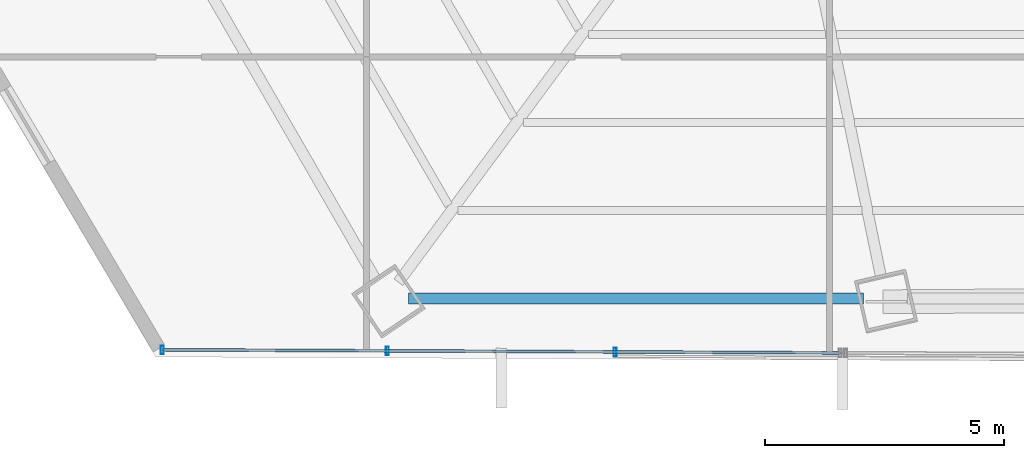
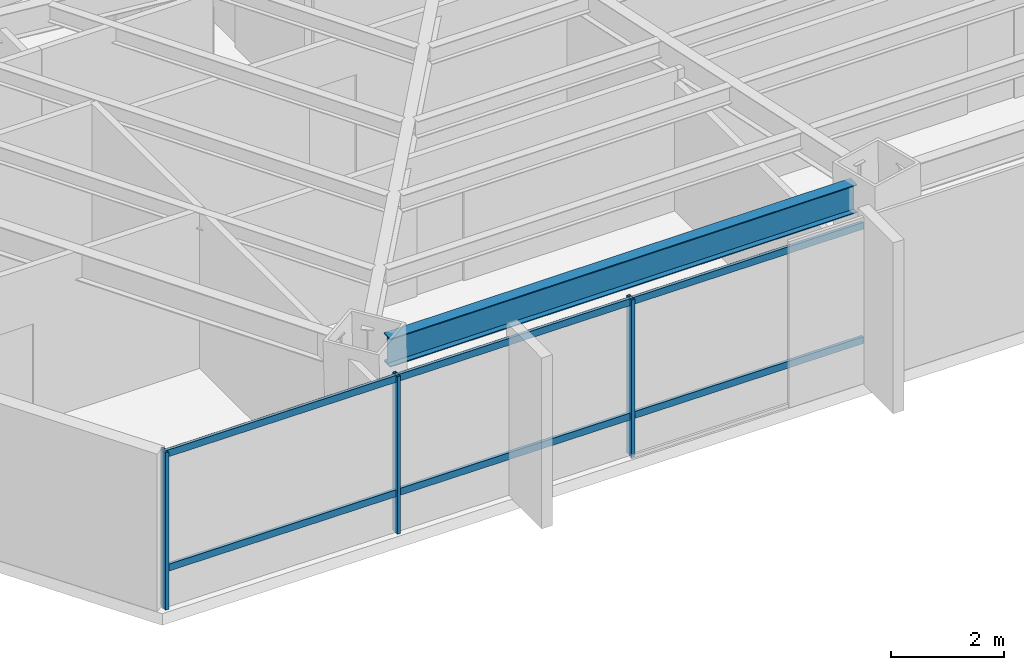
# One storey, part 4 of 37: 5 members, 1 beam, 1 element without a shape of its own.
"""IFC4 building model written with IfcOpenShell, lengths in metres."""

from ifc_helpers import new_model, si_unit, direction, frame, origin, origin_2d, place, context, subcontext, project, spatial, hollow_rectangle, i_section, extrude, source, transform, mapped, material, material_profile, profile_set, type_object, type_shapes, element, aggregate, save


model = new_model("IFC4")

# Units and contexts
model_context = context("Model", 3, precision=1e-05, world=origin(), true_north=direction((0.0, 1.0)))
body_context = subcontext(model_context, "Body", "Model", "MODEL_VIEW")
ifc_project = project(units=[si_unit("LENGTHUNIT", "METRE"), si_unit("AREAUNIT", "SQUARE_METRE"), si_unit("VOLUMEUNIT", "CUBIC_METRE"), si_unit("PLANEANGLEUNIT", "RADIAN"), si_unit("MASSUNIT", "GRAM", prefix="KILO")], contexts=[model_context])

# Site, building, storey
site_placement = place(None, origin())
site = spatial("IfcSite", under=ifc_project, at=site_placement, CompositionType="ELEMENT")
building_placement = place(site_placement, origin())
building = spatial("IfcBuilding", under=site, at=building_placement, Name="Caelisora Broadcast Tower", CompositionType="ELEMENT")
storey_placement = place(building_placement, frame((0.0, 0.0, 101.75)))
storey = spatial("IfcBuildingStorey", under=building, at=storey_placement, Name="L26", CompositionType="ELEMENT", Elevation=101.75)

# Beam
ifc_material_1 = material(Name="Steel Grade 350 (AS/NZS 3679.1)", Category="steel")
ifc_material_profile_1 = material_profile(ifc_material_1, i_section(OverallWidth=0.22900390625, OverallDepth=0.611572265625, WebThickness=0.011962890625, FlangeThickness=0.01953125, at=origin_2d()), Name="Steel Grade 350 (AS/NZS 3679.1)")
ifc_profile_set_1 = profile_set([ifc_material_profile_1], Name="Steel Grade 350 (AS/NZS 3679.1)")
beam_type = type_object("IfcBeamType", Name="PG03", PredefinedType="BEAM", material=ifc_profile_set_1)
shared_shape_1 = source(origin(), body_context, "Body", "SweptSolid", [
    extrude(i_section(OverallWidth=0.22900390625, OverallDepth=0.611572265625, WebThickness=0.011962890625, FlangeThickness=0.01953125, at=origin_2d()), origin(), (0.0, 0.0, 1.0), 9.533447265625),
])
type_shapes(beam_type, [shared_shape_1])
beam_placement = place(storey_placement, frame((22.77978515625, 6.341064453125, 3.09423828125), z_axis=(1.0, 0.0, 0.0), x_axis=(0.0, 1.0, 0.0)))
element("IfcBeam", 1, at=beam_placement, inside=storey, type_object=beam_type, Name="L26 beam PG03", PredefinedType="BEAM", context=body_context, shape_type="MappedRepresentation", body=[
    mapped(shared_shape_1, transform((0.0, 0.0, 0.0), scale=1.0)),
])

# Curtain wall, members
ifc_material_2 = material(Name="Unitised Aluminium and Low-E Glass Curtain Wall", Category="glass")
curtain_wall_type = type_object("IfcCurtainWallType", Name="CW-Z2", PredefinedType="NOTDEFINED", material=ifc_material_2)
curtain_wall_placement = place(storey_placement, origin())
curtain_wall = element("IfcCurtainWall", 2, at=curtain_wall_placement, inside=storey, type_object=curtain_wall_type, Name="L26 curtain wall CW-Z2", PredefinedType="NOTDEFINED")
ifc_material_3 = material(Name="Aluminium 6063-T6 Anodised Terracotta Bronze", Category="aluminium")
ifc_material_profile_2 = material_profile(ifc_material_3, hollow_rectangle(XDim=0.06494140625, YDim=0.179931640625, WallThickness=0.00341796875, at=origin_2d()), Name="Aluminium 6063-T6 Anodised Terracotta Bronze")
ifc_profile_set_2 = profile_set([ifc_material_profile_2], Name="Aluminium 6063-T6 Anodised Terracotta Bronze")
member_type_1 = type_object("IfcMemberType", Name="CWM-02", PredefinedType="MULLION", material=ifc_profile_set_2)
shared_shape_2 = source(origin(), body_context, "Body", "SweptSolid", [
    extrude(hollow_rectangle(XDim=0.06494140625, YDim=0.179931640625, WallThickness=0.00341796875, at=origin_2d()), origin(), (0.0, 0.0, 1.0), 3.39990234375),
])
type_shapes(member_type_1, [shared_shape_2])
member_1_placement = place(storey_placement, frame((27.10888671875, 5.21923828125, 0.0), z_axis=(0.0, 0.0, 1.0), x_axis=(1.0, 0.0, 0.0)))
member_1 = element("IfcMember", 3, at=member_1_placement, type_object=member_type_1, Name="L26-CW-B07 mullion #1", PredefinedType="MULLION", context=body_context, shape_type="MappedRepresentation", body=[
    mapped(shared_shape_2, transform((0.0, 0.0, 0.0), scale=1.0)),
])
member_2_placement = place(storey_placement, frame((22.337890625, 5.2412109375, 0.0), z_axis=(0.0, 0.0, 1.0), x_axis=(1.0, 0.0, 0.0)))
member_2 = element("IfcMember", 4, at=member_2_placement, type_object=member_type_1, Name="L26-CW-B07 mullion #2", PredefinedType="MULLION", context=body_context, shape_type="MappedRepresentation", body=[
    mapped(shared_shape_2, transform((0.0, 0.0, 0.0), scale=1.0)),
])
member_3_placement = place(storey_placement, frame((17.616943359375, 5.2626953125, 0.0), z_axis=(0.0, 0.0, 1.0), x_axis=(1.0, 0.0, 0.0)))
member_3 = element("IfcMember", 5, at=member_3_placement, type_object=member_type_1, Name="L26-CW-B07 mullion #3", PredefinedType="MULLION", context=body_context, shape_type="MappedRepresentation", body=[
    mapped(shared_shape_2, transform((0.0, 0.0, 0.0), scale=1.0)),
])
ifc_material_profile_3 = material_profile(ifc_material_3, hollow_rectangle(XDim=0.06005859375, YDim=0.14990234375, WallThickness=0.00341796875, at=origin_2d()), Name="Aluminium 6063-T6 Anodised Terracotta Bronze")
ifc_profile_set_3 = profile_set([ifc_material_profile_3], Name="Aluminium 6063-T6 Anodised Terracotta Bronze")
member_type_2 = type_object("IfcMemberType", Name="CWT-02", PredefinedType="USERDEFINED", material=ifc_profile_set_3)
shared_shape_3 = source(origin(), body_context, "Body", "SweptSolid", [
    extrude(hollow_rectangle(XDim=0.06005859375, YDim=0.14990234375, WallThickness=0.00341796875, at=origin_2d()), origin(), (0.0, 0.0, 1.0), 14.213134765625),
])
type_shapes(member_type_2, [shared_shape_3])
member_4_placement = place(storey_placement, frame((31.829833984375, 5.19775390625, 0.85009765625), z_axis=(-0.999989561412, 0.004569142905, 0.0), x_axis=(-0.004569142905, -0.999989561412, 0.0)))
member_4 = element("IfcMember", 6, at=member_4_placement, type_object=member_type_2, Name="L26-CW-B07 transom #1", ObjectType="TRANSOM", PredefinedType="USERDEFINED", context=body_context, shape_type="MappedRepresentation", body=[
    mapped(shared_shape_3, transform((0.0, 0.0, 0.0), scale=1.0)),
])
member_5_placement = place(storey_placement, frame((31.829833984375, 5.19775390625, 3.320068359375), z_axis=(-0.999989561412, 0.004569142905, 0.0), x_axis=(-0.004569142905, -0.999989561412, 0.0)))
member_5 = element("IfcMember", 7, at=member_5_placement, type_object=member_type_2, Name="L26-CW-B07 transom #2", ObjectType="TRANSOM", PredefinedType="USERDEFINED", context=body_context, shape_type="MappedRepresentation", body=[
    mapped(shared_shape_3, transform((0.0, 0.0, 0.0), scale=1.0)),
])
aggregate(curtain_wall, [member_1, member_2, member_3, member_4, member_5])

save(model, "model.ifc")
